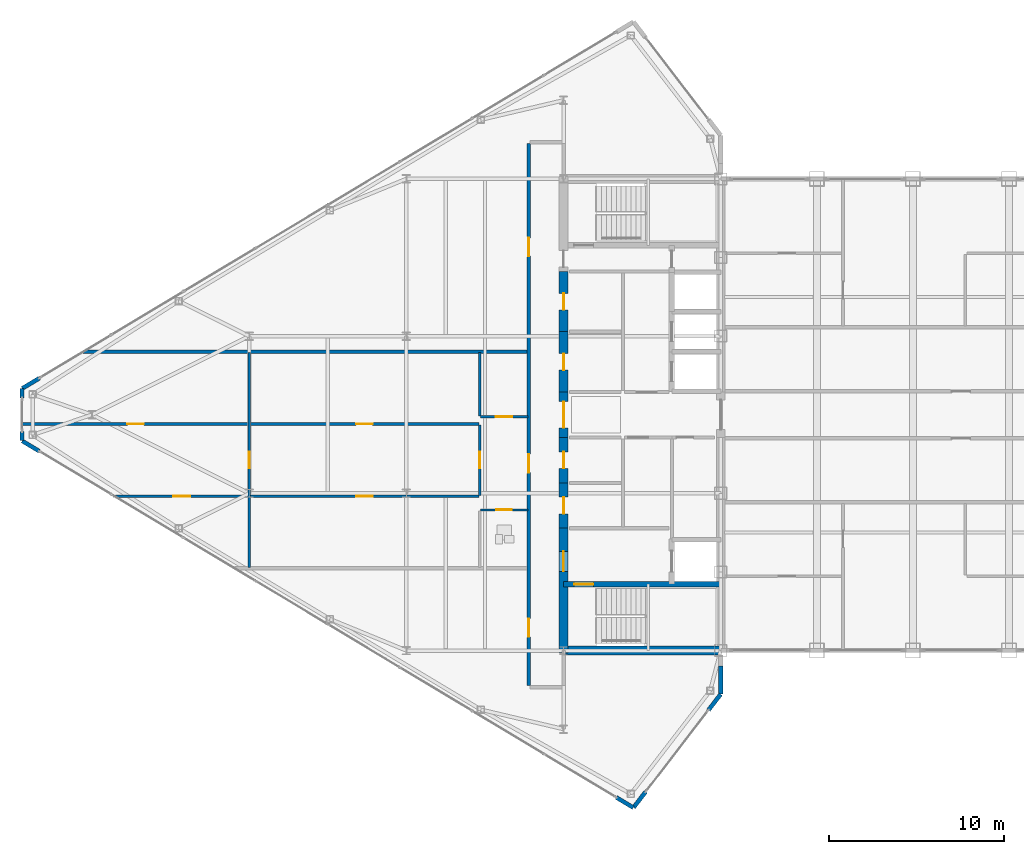
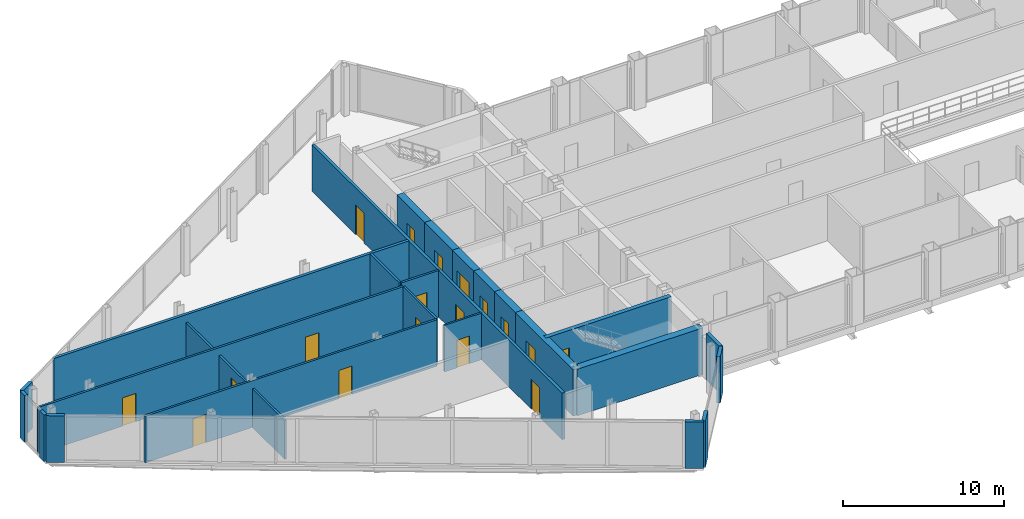
# One storey, part 21 of 29: 25 walls, 18 doors, 18 openings.
"""IFC4 building model written with IfcOpenShell, lengths in metres."""

from ifc_helpers import new_model, si_unit, direction, frame, frame_2d, origin, place, context, subcontext, project, spatial, rectangle, extrude, source, transform, mapped, material, layer, layer_set, type_object, type_shapes, element, fill, save


model = new_model("IFC4")

# Units and contexts
model_context = context("Model", 3, precision=1e-05, world=origin(), true_north=direction((0.0, 1.0)))
body_context = subcontext(model_context, "Body", "Model", "MODEL_VIEW")
ifc_project = project(units=[si_unit("LENGTHUNIT", "METRE"), si_unit("AREAUNIT", "SQUARE_METRE"), si_unit("VOLUMEUNIT", "CUBIC_METRE"), si_unit("PLANEANGLEUNIT", "RADIAN"), si_unit("MASSUNIT", "GRAM", prefix="KILO")], contexts=[model_context])

# Site, building, storey
site_placement = place(None, origin())
site = spatial("IfcSite", under=ifc_project, at=site_placement, CompositionType="ELEMENT")
building_placement = place(site_placement, origin())
building = spatial("IfcBuilding", under=site, at=building_placement, Name="Seokmaru Belvedere", CompositionType="ELEMENT")
storey_placement = place(building_placement, frame((0.0, 0.0, 243.14990234375)))
storey = spatial("IfcBuildingStorey", under=building, at=storey_placement, Name="L64", CompositionType="ELEMENT", Elevation=243.14990234375)

# Wall, openings, doors
ifc_material_1 = material(Name="Fire-Rated Gypsum Shaftwall")
ifc_layer_1 = layer(ifc_material_1, 0.14990234375)
ifc_layer_set_1 = layer_set([ifc_layer_1], Name="Fire-Rated Gypsum Shaftwall")
wall_type_1 = type_object("IfcWallType", Name="Apartment Fire-Acoustic Room Partition 150", PredefinedType="PARTITIONING", material=ifc_layer_set_1)
wall_1_placement = place(storey_placement, frame((-62.257080078125, -4.669921875, 0.0), z_axis=(0.0, 0.0, 1.0), x_axis=(1.0, 0.0, 0.0)))
wall_1 = element("IfcWall", 1, at=wall_1_placement, inside=storey, type_object=wall_type_1, Name="L64 Interior Partition 011", PredefinedType="PARTITIONING", context=body_context, shape_type="SweptSolid", body=[
    extrude(rectangle(XDim=20.906982421875, YDim=0.14990234375, at=frame_2d((10.45361328125, 0.0))), origin(), (0.0, 0.0, 1.0), 3.530029296875),
])
opening_1_placement = place(wall_1_placement, frame((13.882080078125, 0.0, 0.0)))
opening_1 = element("IfcOpeningElement", 2, at=opening_1_placement, cuts=wall_1, Name="Opening D05", PredefinedType="OPENING", context=body_context, shape_type="SweptSolid", body=[
    extrude(rectangle(XDim=0.949951171875, YDim=2.14990234375, at=frame_2d((0.47509765625, 1.074951171875))), frame((0.0, 0.0849609375, 0.0), z_axis=(0.0, -1.0, 0.0), x_axis=(1.0, 0.0, 0.0)), (0.0, 0.0, 1.0), 0.169921875),
])
opening_2_placement = place(wall_1_placement, frame((3.4208984375, 0.0, 0.0)))
opening_2 = element("IfcOpeningElement", 3, at=opening_2_placement, cuts=wall_1, Name="Opening D05", PredefinedType="OPENING", context=body_context, shape_type="SweptSolid", body=[
    extrude(rectangle(XDim=0.949951171875, YDim=2.14990234375, at=frame_2d((0.47509765625, 1.074951171875))), frame((0.0, 0.0849609375, 0.0), z_axis=(0.0, -1.0, 0.0), x_axis=(1.0, 0.0, 0.0)), (0.0, 0.0, 1.0), 0.169921875),
])
ifc_material_2 = material(Name="Engineered White Oak Timber", Category="wood")
door_type_1 = type_object("IfcDoorType", Name="Apartment Interior Fire-Rated Oak Door 950x2150", OperationType="NOTDEFINED", PredefinedType="DOOR", material=ifc_material_2)
shared_shape_1 = source(origin(), body_context, "Body", "SweptSolid", [
    extrude(rectangle(XDim=0.949951171875, YDim=2.14990234375, at=frame_2d((0.47509765625, 1.074951171875))), frame((0.0, 0.02490234375, 0.0), z_axis=(0.0, -1.0, 0.0), x_axis=(1.0, 0.0, 0.0)), (0.0, 0.0, 1.0), 0.050048828125),
])
type_shapes(door_type_1, [shared_shape_1])
door_1_placement = place(opening_1_placement, origin())
door_1 = element("IfcDoor", 4, at=door_1_placement, inside=storey, type_object=door_type_1, Name="L64 Interior Door 007", OperationType="SINGLE_SWING_LEFT", OverallHeight=2.14990234375, OverallWidth=0.949951171875, PredefinedType="DOOR", context=body_context, shape_type="MappedRepresentation", body=[
    mapped(shared_shape_1, transform((0.0, 0.0, 0.0), scale=1.0)),
])
fill(opening_1, door_1)
door_2_placement = place(opening_2_placement, origin())
door_2 = element("IfcDoor", 5, at=door_2_placement, inside=storey, type_object=door_type_1, Name="L64 Interior Door 009", OperationType="SINGLE_SWING_RIGHT", OverallHeight=2.14990234375, OverallWidth=0.949951171875, PredefinedType="DOOR", context=body_context, shape_type="MappedRepresentation", body=[
    mapped(shared_shape_1, transform((0.0, 0.0, 0.0), scale=1.0)),
])
fill(opening_2, door_2)

wall_2_placement = place(storey_placement, frame((-67.534912109375, -0.530029296875, 0.0), z_axis=(0.0, 0.0, 1.0), x_axis=(1.0, 0.0, 0.0)))
wall_2 = element("IfcWall", 6, at=wall_2_placement, inside=storey, type_object=wall_type_1, Name="L64 Interior Partition 016", PredefinedType="PARTITIONING", context=body_context, shape_type="SweptSolid", body=[
    extrude(rectangle(XDim=26.184814453125, YDim=0.14990234375, at=frame_2d((13.09228515625, 0.0))), origin(), (0.0, 0.0, 1.0), 3.530029296875),
])
opening_3_placement = place(wall_2_placement, frame((19.159912109375, 0.0, 0.0)))
opening_3 = element("IfcOpeningElement", 7, at=opening_3_placement, cuts=wall_2, Name="Opening D05", PredefinedType="OPENING", context=body_context, shape_type="SweptSolid", body=[
    extrude(rectangle(XDim=0.949951171875, YDim=2.14990234375, at=frame_2d((0.47509765625, 1.074951171875))), frame((0.0, 0.0849609375, 0.0), z_axis=(0.0, -1.0, 0.0), x_axis=(1.0, 0.0, 0.0)), (0.0, 0.0, 1.0), 0.169921875),
])
opening_4_placement = place(wall_2_placement, frame((6.06005859375, 0.0, 0.0)))
opening_4 = element("IfcOpeningElement", 8, at=opening_4_placement, cuts=wall_2, Name="Opening D05", PredefinedType="OPENING", context=body_context, shape_type="SweptSolid", body=[
    extrude(rectangle(XDim=0.949951171875, YDim=2.14990234375, at=frame_2d((0.47509765625, 1.074951171875))), frame((0.0, 0.0849609375, 0.0), z_axis=(0.0, -1.0, 0.0), x_axis=(1.0, 0.0, 0.0)), (0.0, 0.0, 1.0), 0.169921875),
])
door_3_placement = place(opening_3_placement, origin())
door_3 = element("IfcDoor", 9, at=door_3_placement, inside=storey, type_object=door_type_1, Name="L64 Interior Door 008", OperationType="SINGLE_SWING_RIGHT", OverallHeight=2.14990234375, OverallWidth=0.949951171875, PredefinedType="DOOR", context=body_context, shape_type="MappedRepresentation", body=[
    mapped(shared_shape_1, transform((0.0, 0.0, 0.0), scale=1.0)),
])
fill(opening_3, door_3)
door_4_placement = place(opening_4_placement, origin())
door_4 = element("IfcDoor", 10, at=door_4_placement, inside=storey, type_object=door_type_1, Name="L64 Interior Door 010", OperationType="SINGLE_SWING_RIGHT", OverallHeight=2.14990234375, OverallWidth=0.949951171875, PredefinedType="DOOR", context=body_context, shape_type="MappedRepresentation", body=[
    mapped(shared_shape_1, transform((0.0, 0.0, 0.0), scale=1.0)),
])
fill(opening_4, door_4)

# Wall, opening, door
wall_3_placement = place(storey_placement, frame((-41.25, -0.1201171875, 0.0), z_axis=(0.0, 0.0, 1.0), x_axis=(1.0, 0.0, 0.0)))
wall_3 = element("IfcWall", 11, at=wall_3_placement, inside=storey, type_object=wall_type_1, Name="L64 Interior Partition 017", PredefinedType="PARTITIONING", context=body_context, shape_type="SweptSolid", body=[
    extrude(rectangle(XDim=2.699951171875, YDim=0.14990234375, at=frame_2d((1.35009765625, 0.0))), origin(), (0.0, 0.0, 1.0), 3.530029296875),
])
opening_5_placement = place(wall_3_placement, frame((0.875, 0.0, 0.0)))
opening_5 = element("IfcOpeningElement", 12, at=opening_5_placement, cuts=wall_3, Name="Opening D05", PredefinedType="OPENING", context=body_context, shape_type="SweptSolid", body=[
    extrude(rectangle(XDim=0.949951171875, YDim=2.14990234375, at=frame_2d((0.47509765625, 1.074951171875))), frame((0.0, 0.0849609375, 0.0), z_axis=(0.0, -1.0, 0.0), x_axis=(1.0, 0.0, 0.0)), (0.0, 0.0, 1.0), 0.169921875),
])
door_5_placement = place(opening_5_placement, origin())
door_5 = element("IfcDoor", 13, at=door_5_placement, inside=storey, type_object=door_type_1, Name="L64 Interior Door 004", OperationType="SINGLE_SWING_LEFT", OverallHeight=2.14990234375, OverallWidth=0.949951171875, PredefinedType="DOOR", context=body_context, shape_type="MappedRepresentation", body=[
    mapped(shared_shape_1, transform((0.0, 0.0, 0.0), scale=1.0)),
])
fill(opening_5, door_5)

wall_4_placement = place(storey_placement, frame((-54.5, -8.75, 0.0), z_axis=(0.0, 0.0, 1.0), x_axis=(0.0, 1.0, 0.0)))
wall_4 = element("IfcWall", 14, at=wall_4_placement, inside=storey, type_object=wall_type_1, Name="L64 Interior Partition 031", PredefinedType="PARTITIONING", context=body_context, shape_type="SweptSolid", body=[
    extrude(rectangle(XDim=12.300048828125, YDim=0.14990234375, at=frame_2d((6.14990234375, 0.0))), origin(), (0.0, 0.0, 1.0), 2.93017578125),
])
opening_6_placement = place(wall_4_placement, frame((5.675048828125, 0.0, 0.0)))
opening_6 = element("IfcOpeningElement", 15, at=opening_6_placement, cuts=wall_4, Name="Opening D05", PredefinedType="OPENING", context=body_context, shape_type="SweptSolid", body=[
    extrude(rectangle(XDim=0.949951171875, YDim=2.14990234375, at=frame_2d((0.47509765625, 1.074951171875))), frame((0.0, 0.0849609375, 0.0), z_axis=(0.0, -1.0, 0.0), x_axis=(1.0, 0.0, 0.0)), (0.0, 0.0, 1.0), 0.169921875),
])
door_6_placement = place(opening_6_placement, origin())
door_6 = element("IfcDoor", 16, at=door_6_placement, inside=storey, type_object=door_type_1, Name="L64 Interior Door 006", OperationType="SINGLE_SWING_LEFT", OverallHeight=2.14990234375, OverallWidth=0.949951171875, PredefinedType="DOOR", context=body_context, shape_type="MappedRepresentation", body=[
    mapped(shared_shape_1, transform((0.0, 0.0, 0.0), scale=1.0)),
])
fill(opening_6, door_6)

wall_5_placement = place(storey_placement, frame((-41.300048828125, -4.616943359375, 0.0), z_axis=(0.0, 0.0, 1.0), x_axis=(0.0, 1.0, 0.0)))
wall_5 = element("IfcWall", 17, at=wall_5_placement, inside=storey, type_object=wall_type_1, Name="L64 Interior Partition 033", PredefinedType="PARTITIONING", context=body_context, shape_type="SweptSolid", body=[
    extrude(rectangle(XDim=4.033935546875, YDim=0.14990234375, at=frame_2d((2.01708984375, 0.0))), origin(), (0.0, 0.0, 1.0), 3.530029296875),
])
opening_7_placement = place(wall_5_placement, frame((1.5419921875, 0.0, 0.0)))
opening_7 = element("IfcOpeningElement", 18, at=opening_7_placement, cuts=wall_5, Name="Opening D05", PredefinedType="OPENING", context=body_context, shape_type="SweptSolid", body=[
    extrude(rectangle(XDim=0.949951171875, YDim=2.14990234375, at=frame_2d((0.47509765625, 1.074951171875))), frame((0.0, 0.0849609375, 0.0), z_axis=(0.0, -1.0, 0.0), x_axis=(1.0, 0.0, 0.0)), (0.0, 0.0, 1.0), 0.169921875),
])
door_7_placement = place(opening_7_placement, origin())
door_7 = element("IfcDoor", 19, at=door_7_placement, inside=storey, type_object=door_type_1, Name="L64 Interior Door 005", OperationType="SINGLE_SWING_RIGHT", OverallHeight=2.14990234375, OverallWidth=0.949951171875, PredefinedType="DOOR", context=body_context, shape_type="MappedRepresentation", body=[
    mapped(shared_shape_1, transform((0.0, 0.0, 0.0), scale=1.0)),
])
fill(opening_7, door_7)

# Walls
wall_6_placement = place(storey_placement, frame((-41.300048828125, -0.068115234375, 0.0), z_axis=(0.0, 0.0, 1.0), x_axis=(0.0, 1.0, 0.0)))
element("IfcWall", 20, at=wall_6_placement, inside=storey, type_object=wall_type_1, Name="L64 Interior Partition 034", PredefinedType="PARTITIONING", context=body_context, shape_type="SweptSolid", body=[
    extrude(rectangle(XDim=3.6181640625, YDim=0.14990234375, at=frame_2d((1.80908203125, 0.0))), origin(), (0.0, 0.0, 1.0), 3.530029296875),
])
ifc_layer_2 = layer(ifc_material_1, 0.199951171875)
ifc_layer_set_2 = layer_set([ifc_layer_2], Name="Fire-Rated Gypsum Shaftwall")
wall_type_2 = type_object("IfcWallType", Name="Inter-Tenancy Fire Compartment Partition 200", PredefinedType="PARTITIONING", material=ifc_layer_set_2)
wall_7_placement = place(storey_placement, frame((-64.010009765625, 3.60009765625, 0.0), z_axis=(0.0, 0.0, 1.0), x_axis=(1.0, 0.0, 0.0)))
element("IfcWall", 21, at=wall_7_placement, inside=storey, type_object=wall_type_2, Name="L64 Interior Partition 022", PredefinedType="PARTITIONING", context=body_context, shape_type="SweptSolid", body=[
    extrude(rectangle(XDim=25.429931640625, YDim=0.199951171875, at=frame_2d((12.71484375, 0.0))), origin(), (0.0, 0.0, 1.0), 3.530029296875),
])

# Wall, openings, doors
wall_8_placement = place(storey_placement, frame((-38.5, -15.514892578125, 0.0), z_axis=(0.0, 0.0, 1.0), x_axis=(0.0, 1.0, 0.0)))
wall_8 = element("IfcWall", 22, at=wall_8_placement, inside=storey, type_object=wall_type_2, Name="L64 Interior Partition 035", PredefinedType="PARTITIONING", context=body_context, shape_type="SweptSolid", body=[
    extrude(rectangle(XDim=31.02978515625, YDim=0.199951171875, at=frame_2d((15.514892578125, 0.0))), origin(), (0.0, 0.0, 1.0), 3.530029296875),
])
opening_8_placement = place(wall_8_placement, frame((2.7900390625, 0.0, 0.0)))
opening_8 = element("IfcOpeningElement", 23, at=opening_8_placement, cuts=wall_8, Name="Opening D03", PredefinedType="OPENING", context=body_context, shape_type="SweptSolid", body=[
    extrude(rectangle(XDim=1.050048828125, YDim=2.25, at=frame_2d((0.52490234375, 1.125))), frame((0.0, 0.10986328125, 0.0), z_axis=(0.0, -1.0, 0.0), x_axis=(1.0, 0.0, 0.0)), (0.0, 0.0, 1.0), 0.219970703125),
])
opening_9_placement = place(wall_8_placement, frame((12.2041015625, 0.0, 0.0)))
opening_9 = element("IfcOpeningElement", 24, at=opening_9_placement, cuts=wall_8, Name="Opening D03", PredefinedType="OPENING", context=body_context, shape_type="SweptSolid", body=[
    extrude(rectangle(XDim=1.050048828125, YDim=2.25, at=frame_2d((0.52490234375, 1.125))), frame((0.0, 0.10986328125, 0.0), z_axis=(0.0, -1.0, 0.0), x_axis=(1.0, 0.0, 0.0)), (0.0, 0.0, 1.0), 0.219970703125),
])
opening_10_placement = place(wall_8_placement, frame((24.590087890625, 0.0, 0.0)))
opening_10 = element("IfcOpeningElement", 25, at=opening_10_placement, cuts=wall_8, Name="Opening D03", PredefinedType="OPENING", context=body_context, shape_type="SweptSolid", body=[
    extrude(rectangle(XDim=1.050048828125, YDim=2.25, at=frame_2d((0.52490234375, 1.125))), frame((0.0, 0.10986328125, 0.0), z_axis=(0.0, -1.0, 0.0), x_axis=(1.0, 0.0, 0.0)), (0.0, 0.0, 1.0), 0.219970703125),
])
ifc_material_3 = material(Name="Fire-Rated Steel Leaf", Category="steel")
door_type_2 = type_object("IfcDoorType", Name="Apartment Entrance Fire Door 1050x2250", OperationType="NOTDEFINED", PredefinedType="DOOR", material=ifc_material_3)
shared_shape_2 = source(origin(), body_context, "Body", "SweptSolid", [
    extrude(rectangle(XDim=1.050048828125, YDim=2.25, at=frame_2d((0.52490234375, 1.125))), frame((0.0, 0.02490234375, 0.0), z_axis=(0.0, -1.0, 0.0), x_axis=(1.0, 0.0, 0.0)), (0.0, 0.0, 1.0), 0.050048828125),
])
type_shapes(door_type_2, [shared_shape_2])
door_8_placement = place(opening_8_placement, origin())
door_8 = element("IfcDoor", 26, at=door_8_placement, inside=storey, type_object=door_type_2, Name="L64 Interior Door 001", OperationType="SINGLE_SWING_RIGHT", OverallHeight=2.25, OverallWidth=1.050048828125, PredefinedType="DOOR", context=body_context, shape_type="MappedRepresentation", body=[
    mapped(shared_shape_2, transform((0.0, 0.0, 0.0), scale=1.0)),
])
fill(opening_8, door_8)
door_9_placement = place(opening_9_placement, origin())
door_9 = element("IfcDoor", 27, at=door_9_placement, inside=storey, type_object=door_type_2, Name="L64 Interior Door 002", OperationType="SINGLE_SWING_LEFT", OverallHeight=2.25, OverallWidth=1.050048828125, PredefinedType="DOOR", context=body_context, shape_type="MappedRepresentation", body=[
    mapped(shared_shape_2, transform((0.0, 0.0, 0.0), scale=1.0)),
])
fill(opening_9, door_9)
door_10_placement = place(opening_10_placement, origin())
door_10 = element("IfcDoor", 28, at=door_10_placement, inside=storey, type_object=door_type_2, Name="L64 Interior Door 011", OperationType="SINGLE_SWING_RIGHT", OverallHeight=2.25, OverallWidth=1.050048828125, PredefinedType="DOOR", context=body_context, shape_type="MappedRepresentation", body=[
    mapped(shared_shape_2, transform((0.0, 0.0, 0.0), scale=1.0)),
])
fill(opening_10, door_10)

# Wall, opening, door
ifc_material_4 = material(Name="Concrete C50 (50 MPa)", Category="concrete")
ifc_layer_3 = layer(ifc_material_4, 0.300048828125)
ifc_layer_set_3 = layer_set([ifc_layer_3], Name="Concrete C50 (50 MPa)")
wall_type_3 = type_object("IfcWallType", Name="Internal Core Stair and Hoistway Wall 300", PredefinedType="SHEAR", material=ifc_layer_set_3)
wall_9_placement = place(storey_placement, frame((-36.5, -9.699951171875, 0.0), z_axis=(0.0, 0.0, 1.0), x_axis=(1.0, 0.0, 0.0)))
wall_9 = element("IfcWall", 29, at=wall_9_placement, inside=storey, type_object=wall_type_3, Name="L64 West Stair ST-1 Enclosure Wall", PredefinedType="SHEAR", context=body_context, shape_type="SweptSolid", body=[
    extrude(rectangle(XDim=9.0, YDim=0.300048828125, at=frame_2d((4.5, 0.0))), origin(), (0.0, 0.0, 1.0), 3.530029296875),
])
opening_11_placement = place(wall_9_placement, frame((0.60009765625, 0.0, 0.0)))
opening_11 = element("IfcOpeningElement", 30, at=opening_11_placement, cuts=wall_9, Name="Opening D01", PredefinedType="OPENING", context=body_context, shape_type="SweptSolid", body=[
    extrude(rectangle(XDim=1.10009765625, YDim=2.199951171875, at=frame_2d((0.550048828125, 1.10009765625))), frame((0.0, 0.16015625, 0.0), z_axis=(0.0, -1.0, 0.0), x_axis=(1.0, 0.0, 0.0)), (0.0, 0.0, 1.0), 0.320068359375),
])
door_type_3 = type_object("IfcDoorType", Name="Special Escape Stair Smokeproof Fire Door 1100x2200", OperationType="NOTDEFINED", PredefinedType="DOOR", material=ifc_material_3)
shared_shape_3 = source(origin(), body_context, "Body", "SweptSolid", [
    extrude(rectangle(XDim=1.10009765625, YDim=2.199951171875, at=frame_2d((0.550048828125, 1.10009765625))), frame((0.0, 0.02490234375, 0.0), z_axis=(0.0, -1.0, 0.0), x_axis=(1.0, 0.0, 0.0)), (0.0, 0.0, 1.0), 0.050048828125),
])
type_shapes(door_type_3, [shared_shape_3])
door_11_placement = place(opening_11_placement, frame((1.10009765625, 0.0, 0.0), z_axis=(0.0, 0.0, 1.0), x_axis=(-1.0, 0.0, 0.0)))
door_11 = element("IfcDoor", 31, at=door_11_placement, inside=storey, type_object=door_type_3, Name="L64 West Special Escape Stair ST-1 Door", OperationType="SINGLE_SWING_LEFT", OverallHeight=2.199951171875, OverallWidth=1.10009765625, PredefinedType="DOOR", context=body_context, shape_type="MappedRepresentation", body=[
    mapped(shared_shape_3, transform((0.0, 0.0, 0.0), scale=1.0)),
])
fill(opening_11, door_11)

ifc_layer_4 = layer(ifc_material_1, 0.1298828125)
ifc_layer_set_4 = layer_set([ifc_layer_4], Name="Fire-Rated Gypsum Shaftwall")
wall_type_4 = type_object("IfcWallType", Name="Moisture-Resistant Fire-Rated Bathroom Partition 130", PredefinedType="PARTITIONING", material=ifc_layer_set_4)
wall_10_placement = place(storey_placement, frame((-41.25, -5.449951171875, 0.0), z_axis=(0.0, 0.0, 1.0), x_axis=(1.0, 0.0, 0.0)))
wall_10 = element("IfcWall", 32, at=wall_10_placement, inside=storey, type_object=wall_type_4, Name="L64 Interior Partition 009", PredefinedType="PARTITIONING", context=body_context, shape_type="SweptSolid", body=[
    extrude(rectangle(XDim=2.699951171875, YDim=0.1298828125, at=frame_2d((1.35009765625, 0.0))), origin(), (0.0, 0.0, 1.0), 3.530029296875),
])
opening_12_placement = place(wall_10_placement, frame((0.909912109375, 0.0, 0.0)))
opening_12 = element("IfcOpeningElement", 33, at=opening_12_placement, cuts=wall_10, Name="Opening D06", PredefinedType="OPENING", context=body_context, shape_type="SweptSolid", body=[
    extrude(rectangle(XDim=0.8798828125, YDim=2.10009765625, at=frame_2d((0.43994140625, 1.050048828125))), frame((0.0, 0.074951171875, 0.0), z_axis=(0.0, -1.0, 0.0), x_axis=(1.0, 0.0, 0.0)), (0.0, 0.0, 1.0), 0.14990234375),
])
door_type_4 = type_object("IfcDoorType", Name="Bathroom and Restroom Fire-Rated Door 880x2100", OperationType="NOTDEFINED", PredefinedType="DOOR", material=ifc_material_2)
shared_shape_4 = source(origin(), body_context, "Body", "SweptSolid", [
    extrude(rectangle(XDim=0.8798828125, YDim=2.10009765625, at=frame_2d((0.43994140625, 1.050048828125))), frame((0.0, 0.02490234375, 0.0), z_axis=(0.0, -1.0, 0.0), x_axis=(1.0, 0.0, 0.0)), (0.0, 0.0, 1.0), 0.050048828125),
])
type_shapes(door_type_4, [shared_shape_4])
door_12_placement = place(opening_12_placement, origin())
door_12 = element("IfcDoor", 34, at=door_12_placement, inside=storey, type_object=door_type_4, Name="L64 Interior Door 003", OperationType="SINGLE_SWING_LEFT", OverallHeight=2.10009765625, OverallWidth=0.8798828125, PredefinedType="DOOR", context=body_context, shape_type="MappedRepresentation", body=[
    mapped(shared_shape_4, transform((0.0, 0.0, 0.0), scale=1.0)),
])
fill(opening_12, door_12)

# Walls
ifc_material_5 = material(Name="Anodised Bronze Aluminium", Category="aluminium")
ifc_layer_5 = layer(ifc_material_5, 0.239990234375)
ifc_layer_set_5 = layer_set([ifc_layer_5], Name="Anodised Bronze Aluminium")
wall_type_5 = type_object("IfcWallType", Name="Tower Corner Spandrel Closure Wall 240", PredefinedType="SOLIDWALL", material=ifc_layer_set_5)
wall_11_placement = place(storey_placement, frame((-27.5, -15.97998046875, 0.0), z_axis=(0.0, 0.0, 1.0), x_axis=(0.0, 1.0, 0.0)))
element("IfcWall", 35, at=wall_11_placement, inside=storey, type_object=wall_type_5, Name="L64 W Shoulder Closure Wall 1", PredefinedType="SOLIDWALL", context=body_context, shape_type="SweptSolid", body=[
    extrude(rectangle(XDim=1.605224609375, YDim=0.239990234375, at=frame_2d((0.802734375, 0.0))), origin(), (0.0, 0.0, 1.0), 3.530029296875),
])
wall_12_placement = place(storey_placement, frame((-66.513916015625, 2.091796875, 0.0), z_axis=(0.0, 0.0, 1.0), x_axis=(-0.85743623509, -0.514590228002, 0.0)))
element("IfcWall", 36, at=wall_12_placement, inside=storey, type_object=wall_type_5, Name="L64 W Corner Closure Pier 3B", PredefinedType="SOLIDWALL", context=body_context, shape_type="SweptSolid", body=[
    extrude(rectangle(XDim=1.14013671875, YDim=0.239990234375, at=frame_2d((0.570068359375, 0.0))), origin(), (0.0, 0.0, 1.0), 3.530029296875),
])
for number, where, z_axis, x_axis, name in (
    (37, (-67.5, 1.489990234375, 0.0), (0.0, 0.0, 1.0), (0.0, -1.0, 0.0), "L64 W Apex Closure Pier 4A"),
    (38, (-67.5, -0.949951171875, 0.0), (0.0, 0.0, 1.0), (0.0, -1.0, 0.0), "L64 W Apex Closure Pier 4B"),
):
    element("IfcWall", number, at=place(storey_placement, frame(where, z_axis=z_axis, x_axis=x_axis)), inside=storey, type_object=wall_type_5, Name=name, PredefinedType="SOLIDWALL", context=body_context, shape_type="SweptSolid", body=[
        extrude(rectangle(XDim=0.5400390625, YDim=0.239990234375, at=frame_2d((0.27001953125, 0.0))), origin(), (0.0, 0.0, 1.0), 3.530029296875),
    ])
for number, where, z_axis, x_axis, name in (
    (39, (-67.491455078125, -1.505126953125, 0.0), (0.0, 0.0, 1.0), (0.85743623509, -0.514590228002, 0.0), "L64 W Corner Closure Pier 5A"),
    (40, (-33.486083984375, -21.908203125, 0.0), (0.0, 0.0, 1.0), (0.85743623509, -0.514590228002, 0.0), "L64 W Corner Closure Pier 5B"),
    (41, (-32.493896484375, -22.4921875, 0.0), (0.0, 0.0, 1.0), (0.609617623633, 0.792695624408, 0.0), "L64 W Corner Closure Pier 6A"),
    (42, (-28.201171875, -16.91162109375, 0.0), (0.0, 0.0, 1.0), (0.609617623633, 0.792695624408, 0.0), "L64 W Corner Closure Pier 6B"),
):
    element("IfcWall", number, at=place(storey_placement, frame(where, z_axis=z_axis, x_axis=x_axis)), inside=storey, type_object=wall_type_5, Name=name, PredefinedType="SOLIDWALL", context=body_context, shape_type="SweptSolid", body=[
        extrude(rectangle(XDim=1.14013671875, YDim=0.239990234375, at=frame_2d((0.570068359375, 0.0))), origin(), (0.0, 0.0, 1.0), 3.530029296875),
    ])
ifc_layer_6 = layer(ifc_material_4, 0.5)
ifc_layer_set_6 = layer_set([ifc_layer_6], Name="Concrete C50 (50 MPa)")
wall_type_6 = type_object("IfcWallType", Name="Upper Tower Reinforced Concrete Core Wall 500", PredefinedType="SHEAR", material=ifc_layer_set_6)
wall_13_placement = place(storey_placement, frame((-36.5, -13.5, 0.0), z_axis=(0.0, 0.0, 1.0), x_axis=(1.0, 0.0, 0.0)))
element("IfcWall", 43, at=wall_13_placement, inside=storey, type_object=wall_type_6, Name="L64 West South Core Wall", PredefinedType="SHEAR", context=body_context, shape_type="SweptSolid", body=[
    extrude(rectangle(XDim=9.0, YDim=0.5, at=frame_2d((4.5, 0.0))), origin(), (0.0, 0.0, 1.0), 3.530029296875),
])

# Wall, opening, door
wall_14_placement = place(storey_placement, frame((-36.5, -13.64990234375, 0.0), z_axis=(0.0, 0.0, 1.0), x_axis=(0.0, 1.0, 0.0)))
wall_14 = element("IfcWall", 44, at=wall_14_placement, inside=storey, type_object=wall_type_6, Name="L64 West West Core Wall FF", PredefinedType="SHEAR", context=body_context, shape_type="SweptSolid", body=[
    extrude(rectangle(XDim=7.14990234375, YDim=0.5, at=frame_2d((3.574951171875, 0.0))), origin(), (0.0, 0.0, 1.0), 3.530029296875),
])
opening_13_placement = place(wall_14_placement, frame((4.675048828125, 0.0, 0.0)))
opening_13 = element("IfcOpeningElement", 45, at=opening_13_placement, cuts=wall_14, Name="Opening D02", PredefinedType="OPENING", context=body_context, shape_type="SweptSolid", body=[
    extrude(rectangle(XDim=1.14990234375, YDim=2.199951171875, at=frame_2d((0.574951171875, 1.10009765625))), frame((0.0, 0.260009765625, 0.0), z_axis=(0.0, -1.0, 0.0), x_axis=(1.0, 0.0, 0.0)), (0.0, 0.0, 1.0), 0.52001953125),
])
door_type_5 = type_object("IfcDoorType", Name="Lobby and Vestibule Fire Door 1150x2200", OperationType="NOTDEFINED", PredefinedType="DOOR", material=ifc_material_3)
shared_shape_5 = source(origin(), body_context, "Body", "SweptSolid", [
    extrude(rectangle(XDim=1.14990234375, YDim=2.199951171875, at=frame_2d((0.574951171875, 1.10009765625))), frame((0.0, 0.02490234375, 0.0), z_axis=(0.0, -1.0, 0.0), x_axis=(1.0, 0.0, 0.0)), (0.0, 0.0, 1.0), 0.050048828125),
])
type_shapes(door_type_5, [shared_shape_5])
door_13_placement = place(opening_13_placement, frame((1.14990234375, 0.0, 0.0), z_axis=(0.0, 0.0, 1.0), x_axis=(-1.0, 0.0, 0.0)))
door_13 = element("IfcDoor", 46, at=door_13_placement, inside=storey, type_object=door_type_5, Name="L64 West Firefighting Lobby Door", OperationType="SINGLE_SWING_LEFT", OverallHeight=2.199951171875, OverallWidth=1.14990234375, PredefinedType="DOOR", context=body_context, shape_type="MappedRepresentation", body=[
    mapped(shared_shape_5, transform((0.0, 0.0, 0.0), scale=1.0)),
])
fill(opening_13, door_13)

wall_15_placement = place(storey_placement, frame((-36.5, -1.300048828125, 0.0), z_axis=(0.0, 0.0, 1.0), x_axis=(0.0, 1.0, 0.0)))
wall_15 = element("IfcWall", 47, at=wall_15_placement, inside=storey, type_object=wall_type_6, Name="L64 West West Core Wall FOY", PredefinedType="SHEAR", context=body_context, shape_type="SweptSolid", body=[
    extrude(rectangle(XDim=2.60009765625, YDim=0.5, at=frame_2d((1.300048828125, 0.0))), origin(), (0.0, 0.0, 1.0), 3.530029296875),
])
opening_14_placement = place(wall_15_placement, frame((0.550048828125, 0.0, 0.0)))
opening_14 = element("IfcOpeningElement", 48, at=opening_14_placement, cuts=wall_15, Name="Opening D08", PredefinedType="OPENING", context=body_context, shape_type="SweptSolid", body=[
    extrude(rectangle(XDim=1.5, YDim=2.300048828125, at=frame_2d((0.75, 1.14990234375))), frame((0.0, 0.260009765625, 0.0), z_axis=(0.0, -1.0, 0.0), x_axis=(1.0, 0.0, 0.0)), (0.0, 0.0, 1.0), 0.52001953125),
])
door_type_6 = type_object("IfcDoorType", Name="Cross-Corridor Compartment Double Fire Door 1500x2300", OperationType="DOUBLE_SWING_LEFT", PredefinedType="DOOR", material=ifc_material_3)
shared_shape_6 = source(origin(), body_context, "Body", "SweptSolid", [
    extrude(rectangle(XDim=1.5, YDim=2.300048828125, at=frame_2d((0.75, 1.14990234375))), frame((0.0, 0.02490234375, 0.0), z_axis=(0.0, -1.0, 0.0), x_axis=(1.0, 0.0, 0.0)), (0.0, 0.0, 1.0), 0.050048828125),
])
type_shapes(door_type_6, [shared_shape_6])
door_14_placement = place(opening_14_placement, origin())
door_14 = element("IfcDoor", 49, at=door_14_placement, inside=storey, type_object=door_type_6, Name="L64 West Core Foyer Compartment Door", OperationType="DOUBLE_SWING_LEFT", OverallHeight=2.300048828125, OverallWidth=1.5, PredefinedType="DOOR", context=body_context, shape_type="MappedRepresentation", body=[
    mapped(shared_shape_6, transform((0.0, 0.0, 0.0), scale=1.0)),
])
fill(opening_14, door_14)

wall_16_placement = place(storey_placement, frame((-36.5, -6.5, 0.0), z_axis=(0.0, 0.0, 1.0), x_axis=(0.0, 1.0, 0.0)))
wall_16 = element("IfcWall", 50, at=wall_16_placement, inside=storey, type_object=wall_type_6, Name="L64 West West Core Wall CS1", PredefinedType="SHEAR", context=body_context, shape_type="SweptSolid", body=[
    extrude(rectangle(XDim=2.60009765625, YDim=0.5, at=frame_2d((1.300048828125, 0.0))), origin(), (0.0, 0.0, 1.0), 3.530029296875),
])
opening_15_placement = place(wall_16_placement, frame((0.824951171875, 0.0, 0.0)))
opening_15 = element("IfcOpeningElement", 51, at=opening_15_placement, cuts=wall_16, Name="Opening D04", PredefinedType="OPENING", context=body_context, shape_type="SweptSolid", body=[
    extrude(rectangle(XDim=0.949951171875, YDim=2.14990234375, at=frame_2d((0.47509765625, 1.074951171875))), frame((0.0, 0.260009765625, 0.0), z_axis=(0.0, -1.0, 0.0), x_axis=(1.0, 0.0, 0.0)), (0.0, 0.0, 1.0), 0.52001953125),
])
door_type_7 = type_object("IfcDoorType", Name="Core Service Room Fire Door 950x2150", OperationType="NOTDEFINED", PredefinedType="DOOR", material=ifc_material_3)
shared_shape_7 = source(origin(), body_context, "Body", "SweptSolid", [
    extrude(rectangle(XDim=0.949951171875, YDim=2.14990234375, at=frame_2d((0.47509765625, 1.074951171875))), frame((0.0, 0.02490234375, 0.0), z_axis=(0.0, -1.0, 0.0), x_axis=(1.0, 0.0, 0.0)), (0.0, 0.0, 1.0), 0.050048828125),
])
type_shapes(door_type_7, [shared_shape_7])
door_15_placement = place(opening_15_placement, origin())
door_15 = element("IfcDoor", 52, at=door_15_placement, inside=storey, type_object=door_type_7, Name="L64 West Core Service Room Door 1", OperationType="SINGLE_SWING_LEFT", OverallHeight=2.14990234375, OverallWidth=0.949951171875, PredefinedType="DOOR", context=body_context, shape_type="MappedRepresentation", body=[
    mapped(shared_shape_7, transform((0.0, 0.0, 0.0), scale=1.0)),
])
fill(opening_15, door_15)

wall_17_placement = place(storey_placement, frame((-36.5, -3.89990234375, 0.0), z_axis=(0.0, 0.0, 1.0), x_axis=(0.0, 1.0, 0.0)))
wall_17 = element("IfcWall", 53, at=wall_17_placement, inside=storey, type_object=wall_type_6, Name="L64 West West Core Wall CS2", PredefinedType="SHEAR", context=body_context, shape_type="SweptSolid", body=[
    extrude(rectangle(XDim=2.599853515625, YDim=0.5, at=frame_2d((1.2998046875, 0.0))), origin(), (0.0, 0.0, 1.0), 3.530029296875),
])
opening_16_placement = place(wall_17_placement, frame((0.824951171875, 0.0, 0.0)))
opening_16 = element("IfcOpeningElement", 54, at=opening_16_placement, cuts=wall_17, Name="Opening D04", PredefinedType="OPENING", context=body_context, shape_type="SweptSolid", body=[
    extrude(rectangle(XDim=0.949951171875, YDim=2.14990234375, at=frame_2d((0.47509765625, 1.074951171875))), frame((0.0, 0.260009765625, 0.0), z_axis=(0.0, -1.0, 0.0), x_axis=(1.0, 0.0, 0.0)), (0.0, 0.0, 1.0), 0.52001953125),
])
door_16_placement = place(opening_16_placement, origin())
door_16 = element("IfcDoor", 55, at=door_16_placement, inside=storey, type_object=door_type_7, Name="L64 West Core Service Room Door 2", OperationType="SINGLE_SWING_RIGHT", OverallHeight=2.14990234375, OverallWidth=0.949951171875, PredefinedType="DOOR", context=body_context, shape_type="MappedRepresentation", body=[
    mapped(shared_shape_7, transform((0.0, 0.0, 0.0), scale=1.0)),
])
fill(opening_16, door_16)

wall_18_placement = place(storey_placement, frame((-36.5, 1.300048828125, 0.0), z_axis=(0.0, 0.0, 1.0), x_axis=(0.0, 1.0, 0.0)))
wall_18 = element("IfcWall", 56, at=wall_18_placement, inside=storey, type_object=wall_type_6, Name="L64 West West Core Wall CS3", PredefinedType="SHEAR", context=body_context, shape_type="SweptSolid", body=[
    extrude(rectangle(XDim=3.449951171875, YDim=0.5, at=frame_2d((1.72509765625, 0.0))), origin(), (0.0, 0.0, 1.0), 3.530029296875),
])
opening_17_placement = place(wall_18_placement, frame((1.25, 0.0, 0.0)))
opening_17 = element("IfcOpeningElement", 57, at=opening_17_placement, cuts=wall_18, Name="Opening D04", PredefinedType="OPENING", context=body_context, shape_type="SweptSolid", body=[
    extrude(rectangle(XDim=0.949951171875, YDim=2.14990234375, at=frame_2d((0.47509765625, 1.074951171875))), frame((0.0, 0.260009765625, 0.0), z_axis=(0.0, -1.0, 0.0), x_axis=(1.0, 0.0, 0.0)), (0.0, 0.0, 1.0), 0.52001953125),
])
door_17_placement = place(opening_17_placement, origin())
door_17 = element("IfcDoor", 58, at=door_17_placement, inside=storey, type_object=door_type_7, Name="L64 West Core Service Room Door 3", OperationType="SINGLE_SWING_LEFT", OverallHeight=2.14990234375, OverallWidth=0.949951171875, PredefinedType="DOOR", context=body_context, shape_type="MappedRepresentation", body=[
    mapped(shared_shape_7, transform((0.0, 0.0, 0.0), scale=1.0)),
])
fill(opening_17, door_17)

wall_19_placement = place(storey_placement, frame((-36.5, 4.75, 0.0), z_axis=(0.0, 0.0, 1.0), x_axis=(0.0, 1.0, 0.0)))
wall_19 = element("IfcWall", 59, at=wall_19_placement, inside=storey, type_object=wall_type_6, Name="L64 West West Core Wall CS4", PredefinedType="SHEAR", context=body_context, shape_type="SweptSolid", body=[
    extrude(rectangle(XDim=3.449951171875, YDim=0.5, at=frame_2d((1.72509765625, 0.0))), origin(), (0.0, 0.0, 1.0), 3.530029296875),
])
opening_18_placement = place(wall_19_placement, frame((1.25, 0.0, 0.0)))
opening_18 = element("IfcOpeningElement", 60, at=opening_18_placement, cuts=wall_19, Name="Opening D04", PredefinedType="OPENING", context=body_context, shape_type="SweptSolid", body=[
    extrude(rectangle(XDim=0.949951171875, YDim=2.14990234375, at=frame_2d((0.47509765625, 1.074951171875))), frame((0.0, 0.260009765625, 0.0), z_axis=(0.0, -1.0, 0.0), x_axis=(1.0, 0.0, 0.0)), (0.0, 0.0, 1.0), 0.52001953125),
])
door_18_placement = place(opening_18_placement, origin())
door_18 = element("IfcDoor", 61, at=door_18_placement, inside=storey, type_object=door_type_7, Name="L64 West Core Service Room Door 4", OperationType="SINGLE_SWING_RIGHT", OverallHeight=2.14990234375, OverallWidth=0.949951171875, PredefinedType="DOOR", context=body_context, shape_type="MappedRepresentation", body=[
    mapped(shared_shape_7, transform((0.0, 0.0, 0.0), scale=1.0)),
])
fill(opening_18, door_18)

save(model, "model.ifc")
